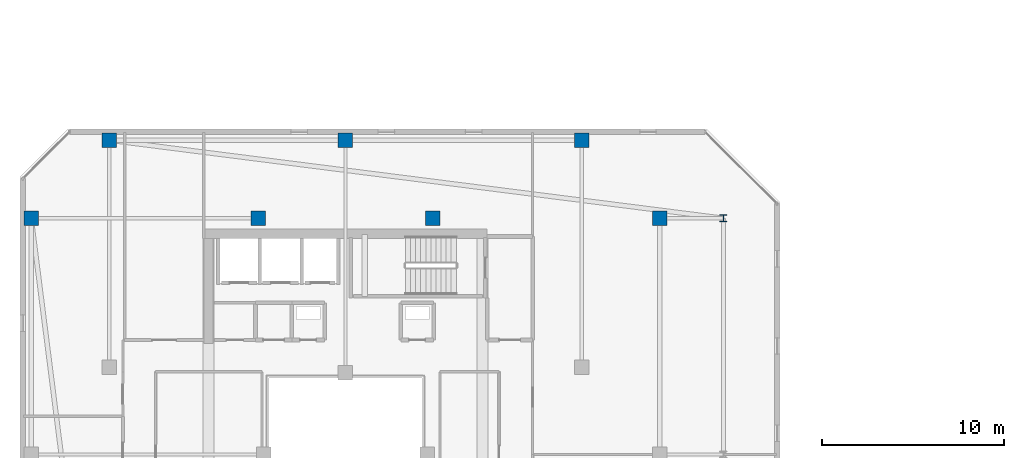
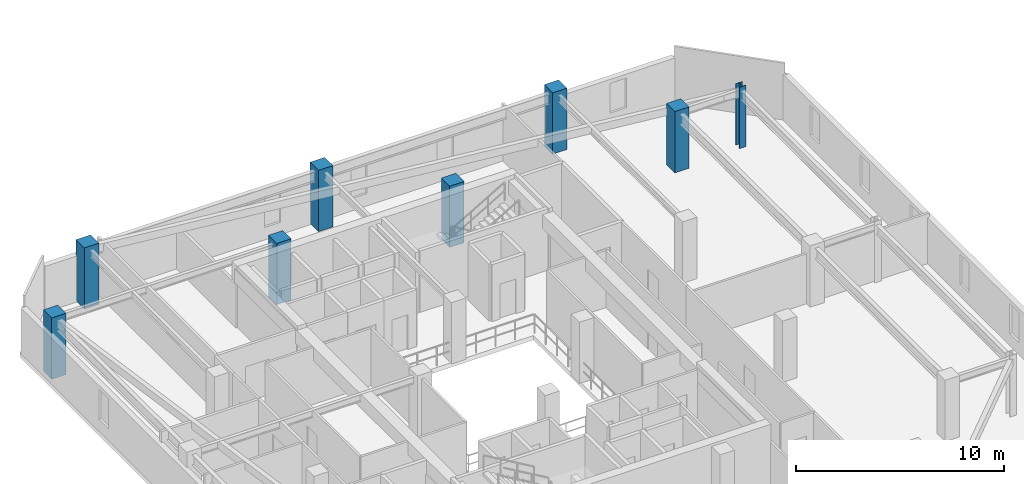
# One storey, part 3 of 34: 8 columns.
"""IFC4 building model written with IfcOpenShell, lengths in metres."""

import ifcopenshell
import ifcopenshell.guid

model = None  # the IFC model being written
_history = None  # IfcOwnerHistory: only IFC2X3 demands one
_inside = {}  # id of a spatial element -> (the spatial element, [elements in it])
_under = {}  # id of a project, library or spatial element -> (it, [spatial elements below it])
_declared = {}  # id of a project -> (the project, [libraries it declares])
_typed = {}  # id of a type object -> (the type object, [elements of that type])
_made_of = {}  # id of a material, layer set ... -> (it, [elements and type objects made of it])


def new_model(schema):
    """Start an empty IFC model of exactly this schema.

    Asked for "IFC4X3", IfcOpenShell would pick the latest addendum, in which some entities
    have other attributes; the version numbers below select the first issue.
    IFC2X3 requires an IfcOwnerHistory on every rooted entity: one is made here for all.
    """
    global model, _history
    if schema == "IFC4X3":
        model = ifcopenshell.file(schema_version=(4, 3, 0, 0))
    else:
        model = ifcopenshell.file(schema=schema)
    _inside.clear()
    _under.clear()
    _declared.clear()
    _typed.clear()
    _made_of.clear()
    _history = None
    if model.schema == "IFC2X3":
        org = make("IfcOrganization", Name="unknown")
        user = make(
            "IfcPersonAndOrganization",
            ThePerson=make("IfcPerson", FamilyName="unknown"),
            TheOrganization=org,
        )
        app = make(
            "IfcApplication",
            ApplicationDeveloper=org,
            Version="unknown",
            ApplicationFullName="unknown",
            ApplicationIdentifier="unknown",
        )
        _history = make(
            "IfcOwnerHistory",
            OwningUser=user,
            OwningApplication=app,
            ChangeAction="ADDED",
            CreationDate=0,
        )
    return model


def make(cls, **values):
    """One entity of the class cls with the attributes given. An attribute that is None is left unset."""
    return model.create_entity(
        cls, **{name: value for name, value in values.items() if value is not None}
    )


def rooted(cls, **values):
    """An entity with a GlobalId (a new one), such as an element, a storey or a relation."""
    return make(cls, GlobalId=ifcopenshell.guid.new(), OwnerHistory=_history, **values)


def si_unit(unit_type, name, prefix=None):
    """IfcSIUnit, for example si_unit("LENGTHUNIT", "METRE", prefix="MILLI")."""
    return make("IfcSIUnit", UnitType=unit_type, Prefix=prefix, Name=name)


def assignment(units):
    """IfcUnitAssignment: the units of a project."""
    return None if units is None else make("IfcUnitAssignment", Units=units)


def point(xyz):
    """IfcCartesianPoint."""
    return None if xyz is None else make("IfcCartesianPoint", Coordinates=xyz)


def direction(xyz):
    """IfcDirection."""
    return None if xyz is None else make("IfcDirection", DirectionRatios=xyz)


def frame(location, z_axis=None, x_axis=None):
    """IfcAxis2Placement3D, a coordinate frame: its origin and axes. An axis left out is left unset."""
    return make(
        "IfcAxis2Placement3D",
        Location=point(location),
        Axis=direction(z_axis),
        RefDirection=direction(x_axis),
    )


def frame_2d(location, x_axis=None):
    """IfcAxis2Placement2D, a coordinate frame in the plane: its origin and x axis."""
    return make(
        "IfcAxis2Placement2D", Location=point(location), RefDirection=direction(x_axis)
    )


def origin():
    """The frame at (0, 0, 0) with its axes left unset."""
    return frame((0.0, 0.0, 0.0))


def origin_2d():
    """The frame at (0, 0) in the plane with its x axis left unset."""
    return frame_2d((0.0, 0.0))


def place(relative_to, where):
    """IfcLocalPlacement: puts the frame where relative to a parent placement (None: the world)."""
    return make(
        "IfcLocalPlacement", PlacementRelTo=relative_to, RelativePlacement=where
    )


def context(
    kind, dimensions, precision=None, world=None, true_north=None, identifier=None
):
    """IfcGeometricRepresentationContext, for example the 3D "Model" context."""
    return make(
        "IfcGeometricRepresentationContext",
        ContextIdentifier=identifier,
        ContextType=kind,
        CoordinateSpaceDimension=dimensions,
        Precision=precision,
        WorldCoordinateSystem=world,
        TrueNorth=true_north,
    )


def subcontext(parent, identifier, kind, view, scale=None):
    """IfcGeometricRepresentationSubContext, for example "Body" below "Model"."""
    return make(
        "IfcGeometricRepresentationSubContext",
        ContextIdentifier=identifier,
        ContextType=kind,
        ParentContext=parent,
        TargetScale=scale,
        TargetView=view,
    )


def project(units=None, contexts=None):
    """IfcProject with its units and contexts."""
    return rooted(
        "IfcProject",
        Name="project",
        RepresentationContexts=contexts,
        UnitsInContext=assignment(units),
    )


def spatial(cls, under=None, at=None, **own):
    """A site, building, storey or space (cls), placed at a placement, below another one or the project."""
    s = rooted(cls, ObjectPlacement=at, **own)
    if under is not None:
        _under.setdefault(under.id(), (under, []))[1].append(s)
    return s


def profile(cls, at=None, kind="AREA", **sizes):
    """A parametric profile (cls). Its sizes go by their IFC names, for example OverallWidth=200.0."""
    return make(cls, ProfileType=kind, Position=at, **sizes)


def rectangle(**sizes):
    """IfcRectangleProfileDef."""
    return profile("IfcRectangleProfileDef", **sizes)


def i_section(**sizes):
    """IfcIShapeProfileDef."""
    return profile("IfcIShapeProfileDef", **sizes)


def extrude(swept, where, along, depth):
    """IfcExtrudedAreaSolid: the profile swept, set in the frame where, extruded along a direction by depth."""
    return make(
        "IfcExtrudedAreaSolid",
        SweptArea=swept,
        Position=where,
        ExtrudedDirection=direction(along),
        Depth=depth,
    )


def shape(context_of_items, identifier, shape_type, items):
    """IfcShapeRepresentation: the items that make up one representation, for example the "Body"."""
    return make(
        "IfcShapeRepresentation",
        ContextOfItems=context_of_items,
        RepresentationIdentifier=identifier,
        RepresentationType=shape_type,
        Items=items,
    )


def material(Name=None, Category=None):
    """IfcMaterial."""
    return make("IfcMaterial", Name=Name, Category=Category)


def material_profile(
    of_material, cross_section, Name=None, Category=None, Priority=None
):
    """IfcMaterialProfile: a cross section and its material."""
    return make(
        "IfcMaterialProfile",
        Name=Name,
        Material=of_material,
        Profile=cross_section,
        Priority=Priority,
        Category=Category,
    )


def profile_set(profiles, Name=None, composite=None):
    """IfcMaterialProfileSet."""
    return make(
        "IfcMaterialProfileSet",
        Name=Name,
        MaterialProfiles=profiles,
        CompositeProfile=composite,
    )


def made_of(thing, what):
    """Note that an element or type object is made of a material, layer set ...; save() writes the relation."""
    if what is not None:
        _made_of.setdefault(what.id(), (what, []))[1].append(thing)
    return thing


def type_object(cls, material=None, **own):
    """A type object (cls), such as IfcWallType, which elements share."""
    return made_of(rooted(cls, **own), material)


def element(
    cls,
    number,
    at=None,
    inside=None,
    cuts=None,
    type_object=None,
    material=None,
    context=None,
    identifier="Body",
    shape_type=None,
    held_by="IfcProductDefinitionShape",
    body=None,
    shapes=None,
    **own,
):
    """One element of the class cls, such as IfcWall. Its Tag is "e" and its number.

    at: its placement. inside: the storey or other place that contains it. cuts: it is an
    opening in that element (IfcRelVoidsElement). A single representation is given by context,
    identifier, shape_type and body (its items); several are given by shapes. held_by: the class
    of the entity that holds the representations. save() writes the other relations.
    """
    e = rooted(cls, Tag="e%d" % number, ObjectPlacement=at, **own)
    if body is not None:
        shapes = [shape(context, identifier, shape_type, body)]
    if shapes is not None:
        e.Representation = make(held_by, Representations=shapes)
    if inside is not None:
        _inside.setdefault(inside.id(), (inside, []))[1].append(e)
    if cuts is not None:
        rooted(
            "IfcRelVoidsElement", RelatingBuildingElement=cuts, RelatedOpeningElement=e
        )
    if type_object is not None:
        _typed.setdefault(type_object.id(), (type_object, []))[1].append(e)
    return made_of(e, material)


def aggregate(whole, parts):
    """IfcRelAggregates: a whole, such as a stair, and the parts it consists of."""
    return rooted("IfcRelAggregates", RelatingObject=whole, RelatedObjects=parts)


def save(model, path):
    """Write the relations noted so far, then the file.

    IfcRelAggregates (storeys below a building ...), IfcRelContainedInSpatialStructure (elements
    in a storey), IfcRelDefinesByType, IfcRelAssociatesMaterial and IfcRelDeclares: one each for
    every whole, place, type object, material and project.
    """
    for whole, parts in _under.values():
        aggregate(whole, parts)
    for where, things in _inside.values():
        rooted(
            "IfcRelContainedInSpatialStructure",
            RelatedElements=things,
            RelatingStructure=where,
        )
    for kind, things in _typed.values():
        rooted("IfcRelDefinesByType", RelatedObjects=things, RelatingType=kind)
    for what, things in _made_of.values():
        rooted("IfcRelAssociatesMaterial", RelatedObjects=things, RelatingMaterial=what)
    for by, libraries in _declared.values():
        rooted("IfcRelDeclares", RelatingContext=by, RelatedDefinitions=libraries)
    model.write(path)


model = new_model("IFC4")

# Units and contexts
model_context = context("Model", 3, precision=1e-05, world=origin(), true_north=direction((0.0, 1.0)))
body_context = subcontext(model_context, "Body", "Model", "MODEL_VIEW")
ifc_project = project(units=[si_unit("LENGTHUNIT", "METRE"), si_unit("AREAUNIT", "SQUARE_METRE"), si_unit("VOLUMEUNIT", "CUBIC_METRE"), si_unit("PLANEANGLEUNIT", "RADIAN"), si_unit("MASSUNIT", "GRAM", prefix="KILO")], contexts=[model_context])

# Site, building, storey
site_placement = place(None, origin())
site = spatial("IfcSite", under=ifc_project, at=site_placement, CompositionType="ELEMENT")
building_placement = place(site_placement, origin())
building = spatial("IfcBuilding", under=site, at=building_placement, Name="Thornwick Lancets Civic Towers", CompositionType="ELEMENT")
storey_placement = place(building_placement, frame((0.0, 0.0, 258.300048828125)))
storey = spatial("IfcBuildingStorey", under=building, at=storey_placement, Name="L69", CompositionType="ELEMENT", Elevation=258.300048828125)

# Columns
ifc_material_1 = material(Name="Concrete C50/60", Category="concrete")
ifc_material_profile_1 = material_profile(ifc_material_1, rectangle(XDim=0.800048828125, YDim=0.800048828125, at=origin_2d()), Name="RC 800x800")
ifc_profile_set_1 = profile_set([ifc_material_profile_1], Name="Concrete C50/60")
column_type_1 = type_object("IfcColumnType", Name="COL_RC_800", PredefinedType="COLUMN", material=ifc_profile_set_1)
for number, where, z_axis, x_axis, name in (
    (1, (42.800048828125, 40.0, 0.0), (0.0, 0.0, 1.0), (1.0, 0.0, 0.0), "L69 Spine Mega-Column A06"),
    (2, (12.5, 44.300048828125, 0.0), (0.0, 0.0, 1.0), (1.0, 0.0, 0.0), "L69 Spine Mega-Column A07"),
    (3, (25.5, 44.300048828125, 0.0), (0.0, 0.0, 1.0), (1.0, 0.0, 0.0), "L69 Spine Mega-Column A08"),
    (4, (38.5, 44.300048828125, 0.0), (0.0, 0.0, 1.0), (1.0, 0.0, 0.0), "L69 Spine Mega-Column A09"),
    (5, (8.199951171875, 40.0, 0.0), (0.0, 0.0, 1.0), (1.0, 0.0, 0.0), "L69 Spine Mega-Column A12"),
    (6, (20.699951171875, 40.0, 0.0), (0.0, 0.0, 1.0), (1.0, 0.0, 0.0), "L69 Spine Mega-Column A19"),
    (7, (30.300048828125, 40.0, 0.0), (0.0, 0.0, 1.0), (1.0, 0.0, 0.0), "L69 Spine Mega-Column A20"),
):
    element("IfcColumn", number, at=place(storey_placement, frame(where, z_axis=z_axis, x_axis=x_axis)), inside=storey, type_object=column_type_1, Name=name, PredefinedType="COLUMN", context=body_context, shape_type="SweptSolid", body=[
        extrude(rectangle(XDim=0.800048828125, YDim=0.800048828125, at=origin_2d()), origin(), (0.0, 0.0, 1.0), 3.599853515625),
    ])
ifc_material_2 = material(Name="Steel S355JR", Category="steel")
ifc_material_profile_2 = material_profile(ifc_material_2, i_section(OverallWidth=0.374755859375, OverallDepth=0.37451171875, WebThickness=0.0166015625, FlangeThickness=0.027099609375, FilletRadius=0.01513671875, at=origin_2d()), Name="UKC 356x368x202")
ifc_profile_set_2 = profile_set([ifc_material_profile_2], Name="Steel S355JR")
column_type_2 = type_object("IfcColumnType", Name="COL_UKC_202", PredefinedType="COLUMN", material=ifc_profile_set_2)
column_placement = place(storey_placement, frame((46.300048828125, 40.0, 0.0), z_axis=(0.0, 0.0, 1.0), x_axis=(1.0, 0.0, 0.0)))
element("IfcColumn", 8, at=column_placement, inside=storey, type_object=column_type_2, Name="L69 Block Perimeter Column A06", PredefinedType="COLUMN", context=body_context, shape_type="SweptSolid", body=[
    extrude(i_section(OverallWidth=0.374755859375, OverallDepth=0.37451171875, WebThickness=0.0166015625, FlangeThickness=0.027099609375, FilletRadius=0.01513671875, at=origin_2d()), origin(), (0.0, 0.0, 1.0), 3.599853515625),
])

save(model, "model.ifc")
